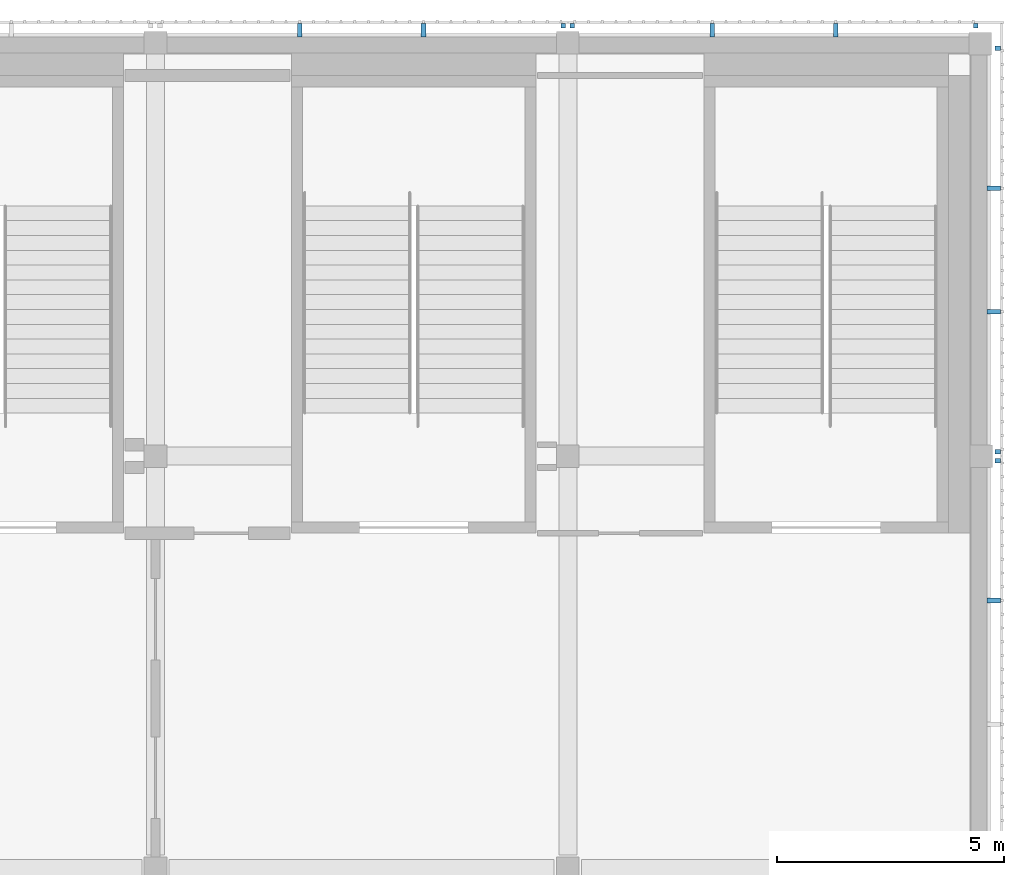
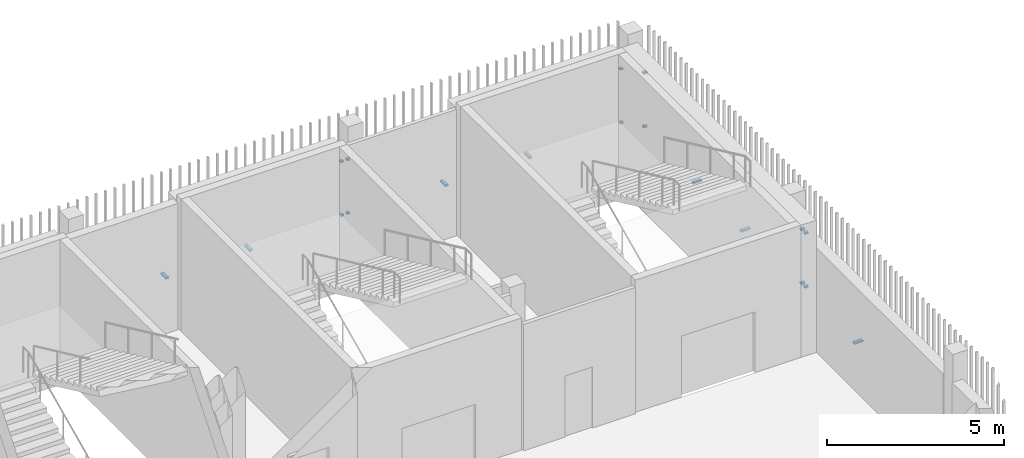
# One storey, part 73 of 91: 19 discrete accessories.
"""IFC4 building model written with IfcOpenShell, lengths in metres."""

from ifc_helpers import new_model, si_unit, direction, frame, origin, origin_2d, place, context, subcontext, project, spatial, rectangle, extrude, material, type_object, element, save


model = new_model("IFC4")

# Units and contexts
model_context = context("Model", 3, precision=1e-05, world=origin(), true_north=direction((0.0, 1.0)))
body_context = subcontext(model_context, "Body", "Model", "MODEL_VIEW")
ifc_project = project(units=[si_unit("LENGTHUNIT", "METRE"), si_unit("AREAUNIT", "SQUARE_METRE"), si_unit("VOLUMEUNIT", "CUBIC_METRE"), si_unit("PLANEANGLEUNIT", "RADIAN"), si_unit("MASSUNIT", "GRAM", prefix="KILO")], contexts=[model_context])

# Site, building, storey
site_placement = place(None, origin())
site = spatial("IfcSite", under=ifc_project, at=site_placement, CompositionType="ELEMENT")
building_placement = place(site_placement, origin())
building = spatial("IfcBuilding", under=site, at=building_placement, Name="Shirokan Park Arena", CompositionType="ELEMENT")
storey_placement = place(building_placement, frame((0.0, 0.0, 24.570068359375)))
storey = spatial("IfcBuildingStorey", under=building, at=storey_placement, Name="L05", CompositionType="ELEMENT", Elevation=24.570068359375)

# Discrete accessories
ifc_material = material(Name="Steel S355", Category="steel")
discrete_accessory_type = type_object("IfcDiscreteAccessoryType", Name="Veil bracket 100x60", PredefinedType="BRACKET", material=ifc_material)
for number, where, z_axis, x_axis, name in (
    (1, (145.985107421875, 100.0, 1.06982421875), (0.0, 0.0, 1.0), (0.0, 1.0, 0.0), "Veil bracket east bay 11 L05 2"),
    (2, (145.985107421875, 100.0, 2.919921875), (0.0, 0.0, 1.0), (0.0, 1.0, 0.0), "Veil bracket east bay 11 L05 4"),
):
    element("IfcDiscreteAccessory", number, at=place(storey_placement, frame(where, z_axis=z_axis, x_axis=x_axis)), inside=storey, type_object=discrete_accessory_type, Name=name, PredefinedType="BRACKET", context=body_context, shape_type="SweptSolid", body=[
        extrude(rectangle(XDim=0.10009765625, YDim=0.1201171875, at=origin_2d()), origin(), (0.0, 0.0, 1.0), 0.06005859375),
    ])
discrete_accessory_placement = place(storey_placement, frame((145.8974609375, 96.9150390625, 1.06982421875), z_axis=(0.0, 0.0, 1.0), x_axis=(0.0, 1.0, 0.0)))
element("IfcDiscreteAccessory", 3, at=discrete_accessory_placement, inside=storey, type_object=discrete_accessory_type, Name="Veil bracket east bay 11 L05 wall 2", PredefinedType="BRACKET", context=body_context, shape_type="SweptSolid", body=[
    extrude(rectangle(XDim=0.10009765625, YDim=0.294921875, at=origin_2d()), origin(), (0.0, 0.0, 1.0), 0.06005859375),
])
for number, where, z_axis, x_axis, name in (
    (4, (145.985107421875, 100.199951171875, 1.06982421875), (0.0, 0.0, 1.0), (0.0, 1.0, 0.0), "Veil bracket east bay 12 L05 1"),
    (5, (145.985107421875, 109.10009765625, 1.06982421875), (0.0, 0.0, 1.0), (0.0, 1.0, 0.0), "Veil bracket east bay 12 L05 2"),
    (6, (145.985107421875, 100.199951171875, 2.919921875), (0.0, 0.0, 1.0), (0.0, 1.0, 0.0), "Veil bracket east bay 12 L05 3"),
    (7, (145.985107421875, 109.10009765625, 2.919921875), (0.0, 0.0, 1.0), (0.0, 1.0, 0.0), "Veil bracket east bay 12 L05 4"),
):
    element("IfcDiscreteAccessory", number, at=place(storey_placement, frame(where, z_axis=z_axis, x_axis=x_axis)), inside=storey, type_object=discrete_accessory_type, Name=name, PredefinedType="BRACKET", context=body_context, shape_type="SweptSolid", body=[
        extrude(rectangle(XDim=0.10009765625, YDim=0.1201171875, at=origin_2d()), origin(), (0.0, 0.0, 1.0), 0.06005859375),
    ])
for number, where, z_axis, x_axis, name in (
    (8, (145.8974609375, 103.284912109375, 1.06982421875), (0.0, 0.0, 1.0), (0.0, 1.0, 0.0), "Veil bracket east bay 12 L05 wall 1"),
    (9, (145.8974609375, 106.014892578125, 1.06982421875), (0.0, 0.0, 1.0), (0.0, 1.0, 0.0), "Veil bracket east bay 12 L05 wall 2"),
):
    element("IfcDiscreteAccessory", number, at=place(storey_placement, frame(where, z_axis=z_axis, x_axis=x_axis)), inside=storey, type_object=discrete_accessory_type, Name=name, PredefinedType="BRACKET", context=body_context, shape_type="SweptSolid", body=[
        extrude(rectangle(XDim=0.10009765625, YDim=0.294921875, at=origin_2d()), origin(), (0.0, 0.0, 1.0), 0.06005859375),
    ])
for number, where, z_axis, x_axis, name in (
    (10, (145.5, 109.597412109375, 1.06982421875), (0.0, 0.0, 1.0), (-1.0, 0.0, 0.0), "Veil bracket north bay 1 L05 1"),
    (11, (136.60009765625, 109.597412109375, 1.06982421875), (0.0, 0.0, 1.0), (-1.0, 0.0, 0.0), "Veil bracket north bay 1 L05 2"),
    (12, (145.5, 109.597412109375, 2.919921875), (0.0, 0.0, 1.0), (-1.0, 0.0, 0.0), "Veil bracket north bay 1 L05 3"),
    (13, (136.60009765625, 109.597412109375, 2.919921875), (0.0, 0.0, 1.0), (-1.0, 0.0, 0.0), "Veil bracket north bay 1 L05 4"),
):
    element("IfcDiscreteAccessory", number, at=place(storey_placement, frame(where, z_axis=z_axis, x_axis=x_axis)), inside=storey, type_object=discrete_accessory_type, Name=name, PredefinedType="BRACKET", context=body_context, shape_type="SweptSolid", body=[
        extrude(rectangle(XDim=0.10009765625, YDim=0.094970703125, at=origin_2d()), origin(), (0.0, 0.0, 1.0), 0.06005859375),
    ])
for number, where, z_axis, x_axis, name in (
    (14, (142.4150390625, 109.49755859375, 1.06982421875), (0.0, 0.0, 1.0), (-1.0, 0.0, 0.0), "Veil bracket north bay 1 L05 wall 1"),
    (15, (139.68505859375, 109.49755859375, 1.06982421875), (0.0, 0.0, 1.0), (-1.0, 0.0, 0.0), "Veil bracket north bay 1 L05 wall 2"),
):
    element("IfcDiscreteAccessory", number, at=place(storey_placement, frame(where, z_axis=z_axis, x_axis=x_axis)), inside=storey, type_object=discrete_accessory_type, Name=name, PredefinedType="BRACKET", context=body_context, shape_type="SweptSolid", body=[
        extrude(rectangle(XDim=0.10009765625, YDim=0.294921875, at=origin_2d()), origin(), (0.0, 0.0, 1.0), 0.06005859375),
    ])
for number, where, z_axis, x_axis, name in (
    (16, (136.39990234375, 109.597412109375, 1.06982421875), (0.0, 0.0, 1.0), (-1.0, 0.0, 0.0), "Veil bracket north bay 2 L05 1"),
    (17, (136.39990234375, 109.597412109375, 2.919921875), (0.0, 0.0, 1.0), (-1.0, 0.0, 0.0), "Veil bracket north bay 2 L05 3"),
):
    element("IfcDiscreteAccessory", number, at=place(storey_placement, frame(where, z_axis=z_axis, x_axis=x_axis)), inside=storey, type_object=discrete_accessory_type, Name=name, PredefinedType="BRACKET", context=body_context, shape_type="SweptSolid", body=[
        extrude(rectangle(XDim=0.10009765625, YDim=0.094970703125, at=origin_2d()), origin(), (0.0, 0.0, 1.0), 0.06005859375),
    ])
for number, where, z_axis, x_axis, name in (
    (18, (133.31494140625, 109.49755859375, 1.06982421875), (0.0, 0.0, 1.0), (-1.0, 0.0, 0.0), "Veil bracket north bay 2 L05 wall 1"),
    (19, (130.5849609375, 109.49755859375, 1.06982421875), (0.0, 0.0, 1.0), (-1.0, 0.0, 0.0), "Veil bracket north bay 2 L05 wall 2"),
):
    element("IfcDiscreteAccessory", number, at=place(storey_placement, frame(where, z_axis=z_axis, x_axis=x_axis)), inside=storey, type_object=discrete_accessory_type, Name=name, PredefinedType="BRACKET", context=body_context, shape_type="SweptSolid", body=[
        extrude(rectangle(XDim=0.10009765625, YDim=0.294921875, at=origin_2d()), origin(), (0.0, 0.0, 1.0), 0.06005859375),
    ])

save(model, "model.ifc")
